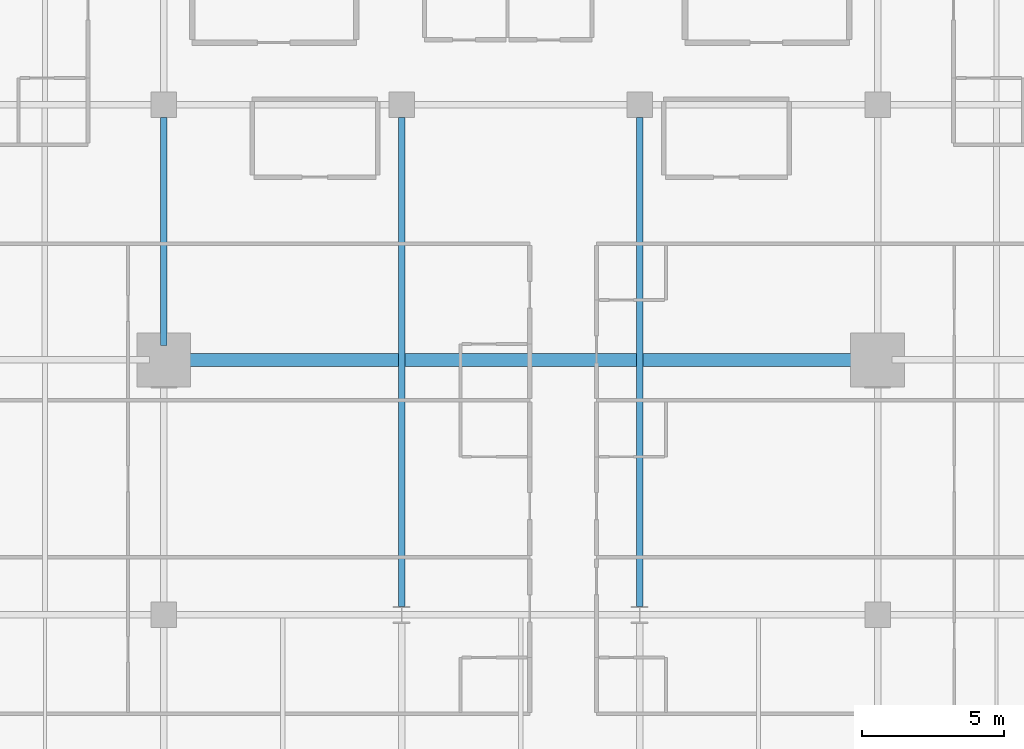
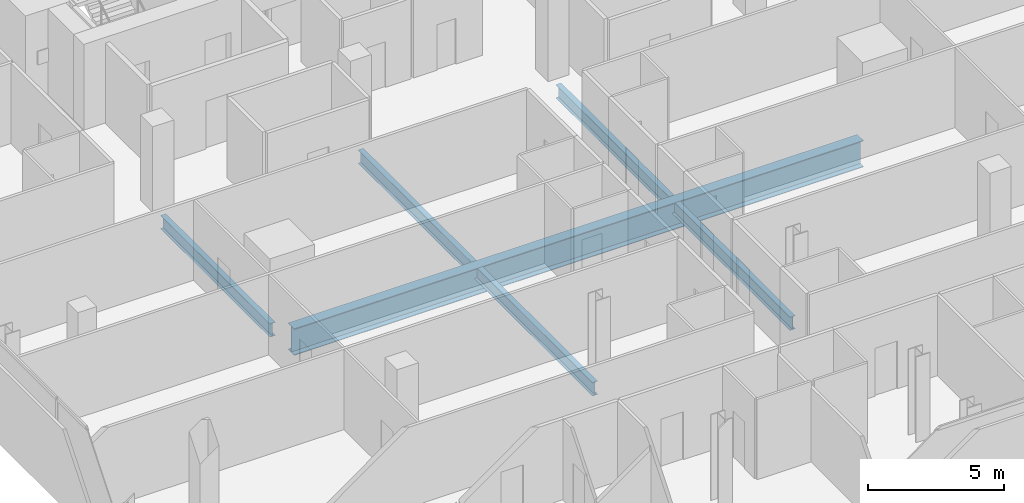
# One storey, part 11 of 33: 4 beams.
"""IFC4 building model written with IfcOpenShell, lengths in metres."""

from ifc_helpers import new_model, si_unit, direction, frame, origin, origin_2d, place, context, subcontext, project, spatial, i_section, extrude, material, material_profile, profile_set, type_object, element, save


model = new_model("IFC4")

# Units and contexts
model_context = context("Model", 3, precision=1e-05, world=origin(), true_north=direction((0.0, 1.0)))
body_context = subcontext(model_context, "Body", "Model", "MODEL_VIEW")
ifc_project = project(units=[si_unit("LENGTHUNIT", "METRE"), si_unit("AREAUNIT", "SQUARE_METRE"), si_unit("VOLUMEUNIT", "CUBIC_METRE"), si_unit("PLANEANGLEUNIT", "RADIAN"), si_unit("MASSUNIT", "GRAM", prefix="KILO")], contexts=[model_context])

# Site, building, storey
site_placement = place(None, origin())
site = spatial("IfcSite", under=ifc_project, at=site_placement, CompositionType="ELEMENT")
building_placement = place(site_placement, origin())
building = spatial("IfcBuilding", under=site, at=building_placement, Name="Maruvema Waterfront Hotel and Observation Tower", CompositionType="ELEMENT")
storey_placement = place(building_placement, frame((0.0, 0.0, 158.199951171875)))
storey = spatial("IfcBuildingStorey", under=building, at=storey_placement, Name="L38", CompositionType="ELEMENT", Elevation=158.199951171875)

# Beams
ifc_material_1 = material(Name="Steel ASTM A572 Grade 50", Category="steel")
ifc_material_profile_1 = material_profile(ifc_material_1, i_section(OverallWidth=0.22802734375, OverallDepth=0.60302734375, WebThickness=0.010498046875, FlangeThickness=0.014892578125, FilletRadius=0.01806640625, at=origin_2d()), Name="W610x101.0")
ifc_profile_set_1 = profile_set([ifc_material_profile_1], Name="Steel ASTM A572 Grade 50")
beam_type_1 = type_object("IfcBeamType", Name="Primary Floor Girder W610x101.0", PredefinedType="BEAM", material=ifc_profile_set_1)
beam_1_placement = place(storey_placement, frame((25.199951171875, 27.5, -0.54150390625), z_axis=(0.0, 1.0, 0.0), x_axis=(-1.0, 0.0, 0.0)))
element("IfcBeam", 1, at=beam_1_placement, inside=storey, type_object=beam_type_1, Name="L38 Floor Girder NS-12", PredefinedType="BEAM", context=body_context, shape_type="SweptSolid", body=[
    extrude(i_section(OverallWidth=0.22802734375, OverallDepth=0.60302734375, WebThickness=0.010498046875, FlangeThickness=0.014892578125, FilletRadius=0.01806640625, at=origin_2d()), origin(), (0.0, 0.0, 1.0), 8.050048828125),
])
for number, where, z_axis, x_axis, name in (
    (2, (33.60009765625, 18.300048828125, -0.54150390625), (0.0, 1.0, 0.0), (-1.0, 0.0, 0.0), "L38 Floor Girder NS-16"),
    (3, (42.0, 18.300048828125, -0.54150390625), (0.0, 1.0, 0.0), (-1.0, 0.0, 0.0), "L38 Floor Girder NS-19"),
):
    element("IfcBeam", number, at=place(storey_placement, frame(where, z_axis=z_axis, x_axis=x_axis)), inside=storey, type_object=beam_type_1, Name=name, PredefinedType="BEAM", context=body_context, shape_type="SweptSolid", body=[
        extrude(i_section(OverallWidth=0.22802734375, OverallDepth=0.60302734375, WebThickness=0.010498046875, FlangeThickness=0.014892578125, FilletRadius=0.01806640625, at=origin_2d()), origin(), (0.0, 0.0, 1.0), 17.25),
    ])
ifc_material_2 = material(Name="Steel ABNT NBR 7007 AR 415 (ASTM A572 Grade 50)", Category="steel")
ifc_material_profile_2 = material_profile(ifc_material_2, i_section(OverallWidth=0.449951171875, OverallDepth=1.199951171875, WebThickness=0.01904296875, FlangeThickness=0.031982421875, at=origin_2d()), Name="VS1200x366")
ifc_profile_set_2 = profile_set([ifc_material_profile_2], Name="Steel ABNT NBR 7007 AR 415 (ASTM A572 Grade 50)")
beam_type_2 = type_object("IfcBeamType", Name="Upper Setback Transfer Girder VS1200x366", PredefinedType="USERDEFINED", material=ifc_profile_set_2)
beam_2_placement = place(storey_placement, frame((25.699951171875, 27.0, -0.83984375), z_axis=(1.0, 0.0, 0.0), x_axis=(0.0, 1.0, 0.0)))
element("IfcBeam", 4, at=beam_2_placement, inside=storey, type_object=beam_type_2, Name="L38 Floor Girder EW-20", ObjectType="TRANSFER GIRDER", PredefinedType="USERDEFINED", context=body_context, shape_type="SweptSolid", body=[
    extrude(i_section(OverallWidth=0.449951171875, OverallDepth=1.199951171875, WebThickness=0.01904296875, FlangeThickness=0.031982421875, at=origin_2d()), origin(), (0.0, 0.0, 1.0), 24.199951171875),
])

save(model, "model.ifc")
